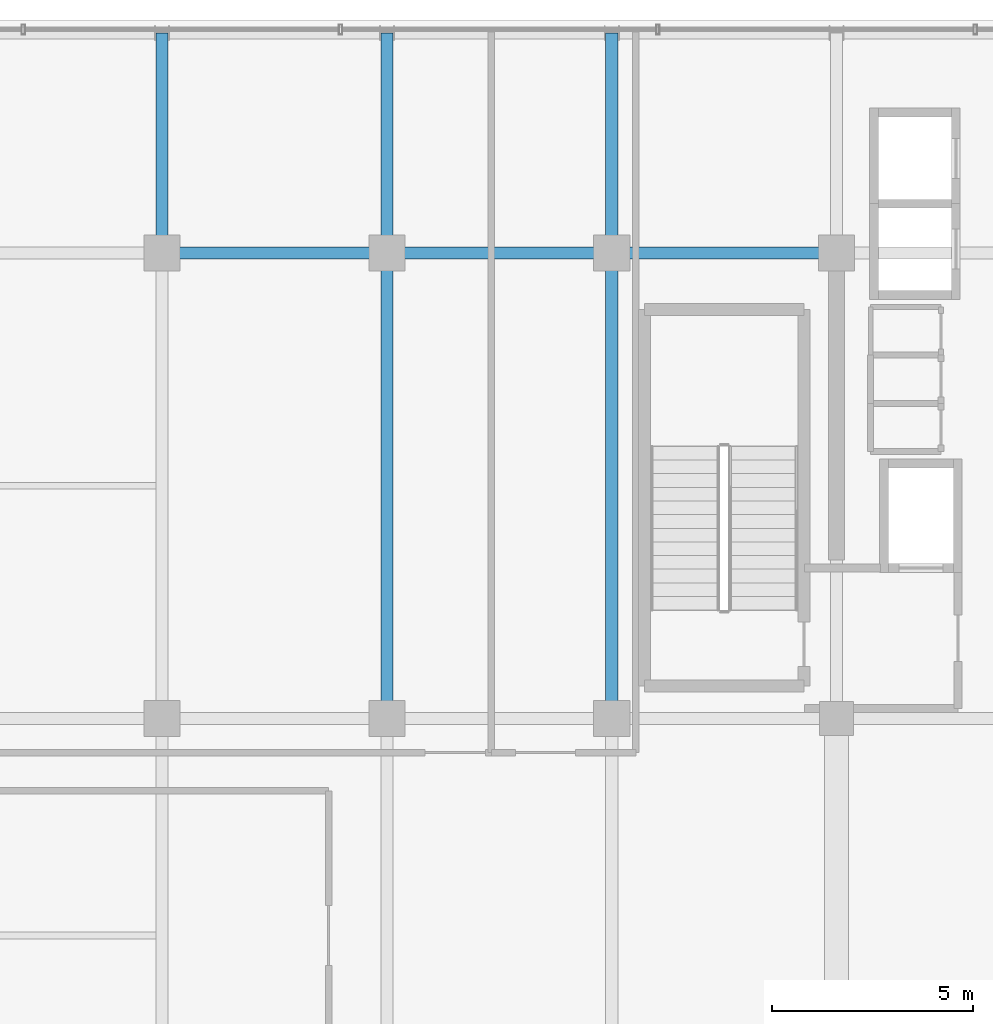
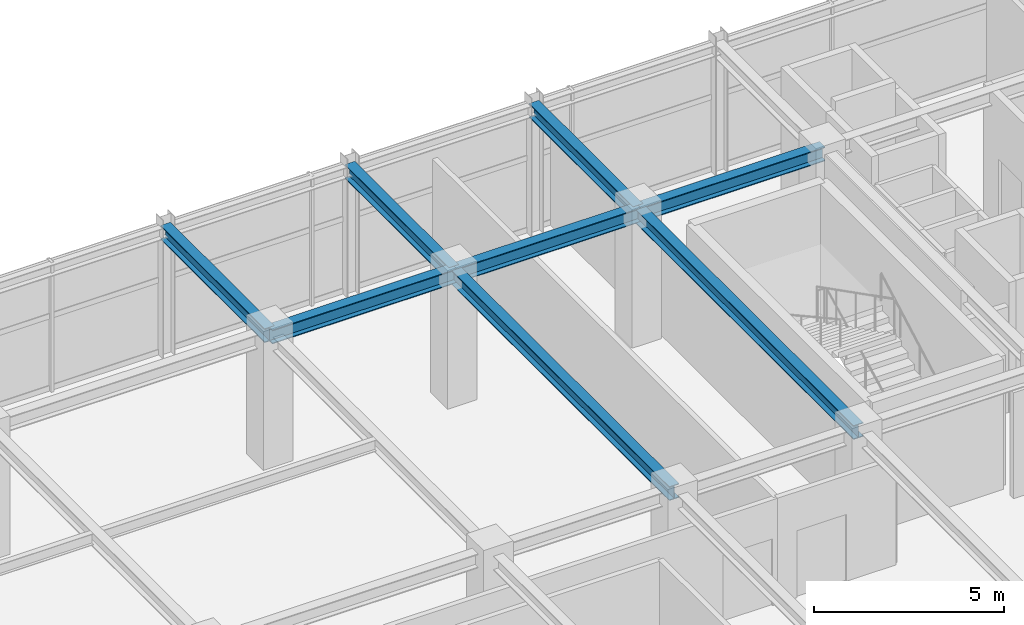
# One storey, part 13 of 25: 8 beams.
"""IFC4 building model written with IfcOpenShell, lengths in metres."""

from ifc_helpers import new_model, si_unit, direction, frame, origin, origin_2d, place, context, subcontext, project, spatial, i_section, extrude, source, transform, mapped, material, material_profile, profile_set, type_object, element, save


model = new_model("IFC4")

# Units and contexts
model_context = context("Model", 3, precision=1e-05, world=origin(), true_north=direction((0.0, 1.0)))
body_context = subcontext(model_context, "Body", "Model", "MODEL_VIEW")
ifc_project = project(units=[si_unit("LENGTHUNIT", "METRE"), si_unit("AREAUNIT", "SQUARE_METRE"), si_unit("VOLUMEUNIT", "CUBIC_METRE"), si_unit("PLANEANGLEUNIT", "RADIAN"), si_unit("MASSUNIT", "GRAM", prefix="KILO")], contexts=[model_context])

# Site, building, storey
site_placement = place(None, origin())
site = spatial("IfcSite", under=ifc_project, at=site_placement, CompositionType="ELEMENT")
building_placement = place(site_placement, origin())
building = spatial("IfcBuilding", under=site, at=building_placement, Name="Nahalor Promenade Grand Hotel", CompositionType="ELEMENT")
storey_placement = place(building_placement, frame((0.0, 0.0, 338.550048828125)))
storey = spatial("IfcBuildingStorey", under=building, at=storey_placement, Name="L87", CompositionType="ELEMENT", Elevation=338.550048828125)

# Beams
ifc_material = material(Name="Steel S355JR", Category="steel")
ifc_material_profile = material_profile(ifc_material, i_section(OverallWidth=0.3, OverallDepth=0.45, WebThickness=0.014, FlangeThickness=0.026, at=origin_2d()), Name="HEB 450")
ifc_profile_set = profile_set([ifc_material_profile], Name="Steel S355JR")
beam_type = type_object("IfcBeamType", Name="Beam-Girder-HEB450", PredefinedType="BEAM", material=ifc_profile_set)
shared_shape_1 = source(origin(), body_context, "Body", "SweptSolid", [
    extrude(i_section(OverallWidth=0.3, OverallDepth=0.45, WebThickness=0.014, FlangeThickness=0.026, at=origin_2d()), origin(), (0.0, 0.0, 1.0), 5.599853515625),
])
for number, where, z_axis, x_axis, name in (
    (1, (-8.39990234375, 17.0, 3.945068359375), (1.0, 0.0, 0.0), (0.0, 1.0, 0.0), "BM-L87-GX-3-2"),
    (2, (2.800048828125, 17.0, 3.945068359375), (1.0, 0.0, 0.0), (0.0, 1.0, 0.0), "BM-L87-GX-3-4"),
):
    element("IfcBeam", number, at=place(storey_placement, frame(where, z_axis=z_axis, x_axis=x_axis)), inside=storey, type_object=beam_type, Name=name, PredefinedType="BEAM", context=body_context, shape_type="MappedRepresentation", body=[
        mapped(shared_shape_1, transform((0.0, 0.0, 0.0), scale=1.0)),
    ])
shared_shape_2 = source(origin(), body_context, "Body", "SweptSolid", [
    extrude(i_section(OverallWidth=0.3, OverallDepth=0.45, WebThickness=0.014, FlangeThickness=0.026, at=origin_2d()), origin(), (0.0, 0.0, 1.0), 5.60009765625),
])
beam_placement = place(storey_placement, frame((-2.800048828125, 17.0, 3.945068359375), z_axis=(1.0, 0.0, 0.0), x_axis=(0.0, 1.0, 0.0)))
element("IfcBeam", 3, at=beam_placement, inside=storey, type_object=beam_type, Name="BM-L87-GX-3-3", PredefinedType="BEAM", context=body_context, shape_type="MappedRepresentation", body=[
    mapped(shared_shape_2, transform((0.0, 0.0, 0.0), scale=1.0)),
])
shared_shape_3 = source(origin(), body_context, "Body", "SweptSolid", [
    extrude(i_section(OverallWidth=0.3, OverallDepth=0.45, WebThickness=0.014, FlangeThickness=0.026, at=origin_2d()), origin(), (0.0, 0.0, 1.0), 11.60009765625),
])
for number, where, z_axis, x_axis, name in (
    (4, (-2.800048828125, 5.39990234375, 3.945068359375), (0.0, 1.0, 0.0), (-1.0, 0.0, 0.0), "BM-L87-GY-2-3"),
    (5, (2.800048828125, 5.39990234375, 3.945068359375), (0.0, 1.0, 0.0), (-1.0, 0.0, 0.0), "BM-L87-GY-3-3"),
):
    element("IfcBeam", number, at=place(storey_placement, frame(where, z_axis=z_axis, x_axis=x_axis)), inside=storey, type_object=beam_type, Name=name, PredefinedType="BEAM", context=body_context, shape_type="MappedRepresentation", body=[
        mapped(shared_shape_3, transform((0.0, 0.0, 0.0), scale=1.0)),
    ])
shared_shape_4 = source(origin(), body_context, "Body", "SweptSolid", [
    extrude(i_section(OverallWidth=0.3, OverallDepth=0.45, WebThickness=0.014, FlangeThickness=0.026, at=origin_2d()), origin(), (0.0, 0.0, 1.0), 5.47998046875),
])
for number, where, z_axis, x_axis, name in (
    (6, (-8.39990234375, 17.0, 3.945068359375), (0.0, 1.0, 0.0), (-1.0, 0.0, 0.0), "BM-L87-GY-1-4"),
    (7, (-2.800048828125, 17.0, 3.945068359375), (0.0, 1.0, 0.0), (-1.0, 0.0, 0.0), "BM-L87-GY-2-4"),
    (8, (2.800048828125, 17.0, 3.945068359375), (0.0, 1.0, 0.0), (-1.0, 0.0, 0.0), "BM-L87-GY-3-4"),
):
    element("IfcBeam", number, at=place(storey_placement, frame(where, z_axis=z_axis, x_axis=x_axis)), inside=storey, type_object=beam_type, Name=name, PredefinedType="BEAM", context=body_context, shape_type="MappedRepresentation", body=[
        mapped(shared_shape_4, transform((0.0, 0.0, 0.0), scale=1.0)),
    ])

save(model, "model.ifc")
